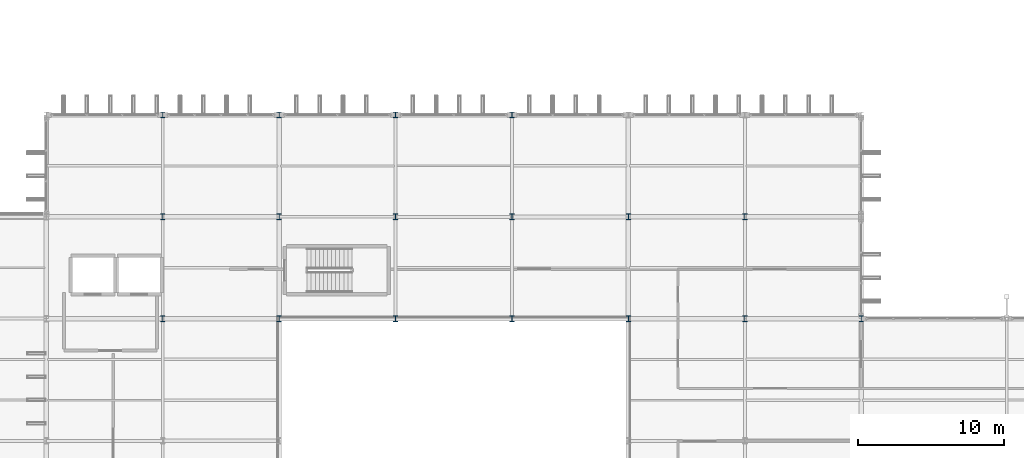
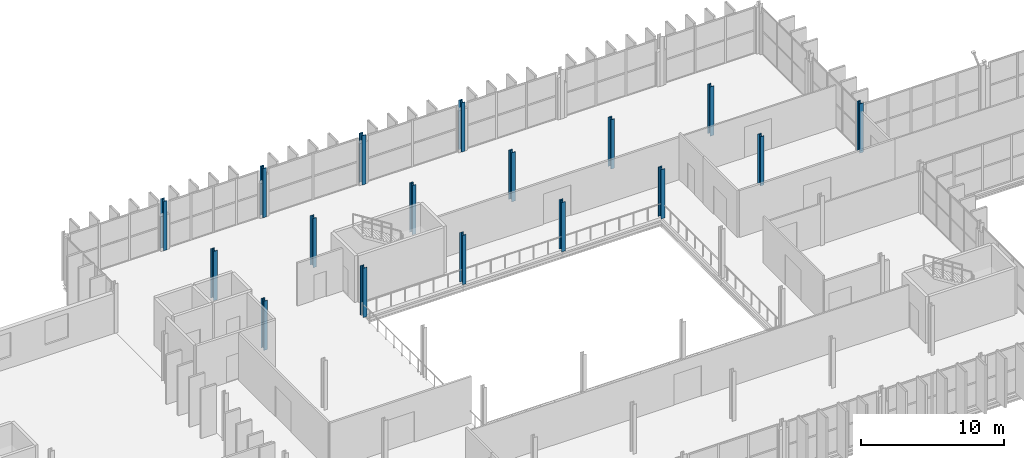
# One storey, part 7 of 101: 17 columns.
"""IFC4 building model written with IfcOpenShell, lengths in metres."""

from ifc_helpers import new_model, si_unit, direction, frame, origin, origin_2d, place, context, subcontext, project, spatial, i_section, extrude, material, material_profile, profile_set, type_object, element, save


model = new_model("IFC4")

# Units and contexts
model_context = context("Model", 3, precision=1e-05, world=origin(), true_north=direction((0.0, 1.0)))
body_context = subcontext(model_context, "Body", "Model", "MODEL_VIEW")
ifc_project = project(units=[si_unit("LENGTHUNIT", "METRE"), si_unit("AREAUNIT", "SQUARE_METRE"), si_unit("VOLUMEUNIT", "CUBIC_METRE"), si_unit("PLANEANGLEUNIT", "RADIAN"), si_unit("MASSUNIT", "GRAM", prefix="KILO")], contexts=[model_context])

# Site, building, storey
site_placement = place(None, origin())
site = spatial("IfcSite", under=ifc_project, at=site_placement, CompositionType="ELEMENT")
building_placement = place(site_placement, origin())
building = spatial("IfcBuilding", under=site, at=building_placement, Name="Vekula Escarpment Museum", CompositionType="ELEMENT")
storey_placement = place(building_placement, frame((0.0, 0.0, 18.0)))
storey = spatial("IfcBuildingStorey", under=building, at=storey_placement, Name="L04", CompositionType="ELEMENT", Elevation=18.0)

# Columns
ifc_material = material(Name="Steel S355", Category="steel")
ifc_material_profile = material_profile(ifc_material, i_section(OverallWidth=0.300048828125, OverallDepth=0.39990234375, WebThickness=0.013427734375, FlangeThickness=0.02392578125, FilletRadius=0.027099609375, at=origin_2d()), Name="HEB 400")
ifc_profile_set = profile_set([ifc_material_profile], Name="Steel S355")
column_type = type_object("IfcColumnType", Name="COL-S-HEB400", PredefinedType="COLUMN", material=ifc_profile_set)
for number, where, z_axis, x_axis, name in (
    (1, (78.0, 76.39990234375, 0.0), (0.0, 0.0, 1.0), (1.0, 0.0, 0.0), "Column L04 (78.0,76.4)"),
    (2, (78.0, 83.39990234375, 0.0), (0.0, 0.0, 1.0), (1.0, 0.0, 0.0), "Column L04 (78.0,83.4)"),
    (3, (78.0, 90.39990234375, 0.0), (0.0, 0.0, 1.0), (1.0, 0.0, 0.0), "Column L04 (78.0,90.4)"),
    (4, (86.0, 76.39990234375, 0.0), (0.0, 0.0, 1.0), (1.0, 0.0, 0.0), "Column L04 (86.0,76.4)"),
    (5, (86.0, 83.39990234375, 0.0), (0.0, 0.0, 1.0), (1.0, 0.0, 0.0), "Column L04 (86.0,83.4)"),
    (6, (86.0, 90.39990234375, 0.0), (0.0, 0.0, 1.0), (1.0, 0.0, 0.0), "Column L04 (86.0,90.4)"),
    (7, (94.0, 76.39990234375, 0.0), (0.0, 0.0, 1.0), (1.0, 0.0, 0.0), "Column L04 (94.0,76.4)"),
    (8, (94.0, 83.39990234375, 0.0), (0.0, 0.0, 1.0), (1.0, 0.0, 0.0), "Column L04 (94.0,83.4)"),
    (9, (94.0, 90.39990234375, 0.0), (0.0, 0.0, 1.0), (1.0, 0.0, 0.0), "Column L04 (94.0,90.4)"),
    (10, (102.0, 76.39990234375, 0.0), (0.0, 0.0, 1.0), (1.0, 0.0, 0.0), "Column L04 (102.0,76.4)"),
    (11, (102.0, 83.39990234375, 0.0), (0.0, 0.0, 1.0), (1.0, 0.0, 0.0), "Column L04 (102.0,83.4)"),
    (12, (102.0, 90.39990234375, 0.0), (0.0, 0.0, 1.0), (1.0, 0.0, 0.0), "Column L04 (102.0,90.4)"),
    (13, (110.0, 76.39990234375, 0.0), (0.0, 0.0, 1.0), (1.0, 0.0, 0.0), "Column L04 (110.0,76.4)"),
    (14, (110.0, 83.39990234375, 0.0), (0.0, 0.0, 1.0), (1.0, 0.0, 0.0), "Column L04 (110.0,83.4)"),
    (15, (118.0, 76.39990234375, 0.0), (0.0, 0.0, 1.0), (1.0, 0.0, 0.0), "Column L04 (118.0,76.4)"),
    (16, (118.0, 83.39990234375, 0.0), (0.0, 0.0, 1.0), (1.0, 0.0, 0.0), "Column L04 (118.0,83.4)"),
    (17, (126.0, 76.39990234375, 0.0), (0.0, 0.0, 1.0), (1.0, 0.0, 0.0), "Column L04 (126.0,76.4)"),
):
    element("IfcColumn", number, at=place(storey_placement, frame(where, z_axis=z_axis, x_axis=x_axis)), inside=storey, type_object=column_type, Name=name, PredefinedType="COLUMN", context=body_context, shape_type="SweptSolid", body=[
        extrude(i_section(OverallWidth=0.300048828125, OverallDepth=0.39990234375, WebThickness=0.013427734375, FlangeThickness=0.02392578125, FilletRadius=0.027099609375, at=origin_2d()), origin(), (0.0, 0.0, 1.0), 4.199951171875),
    ])

save(model, "model.ifc")
